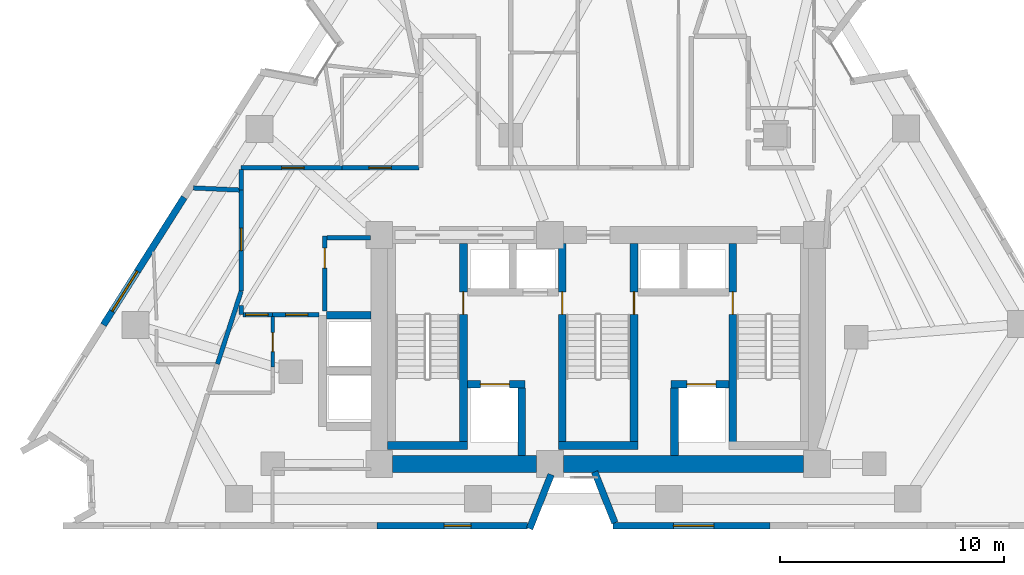
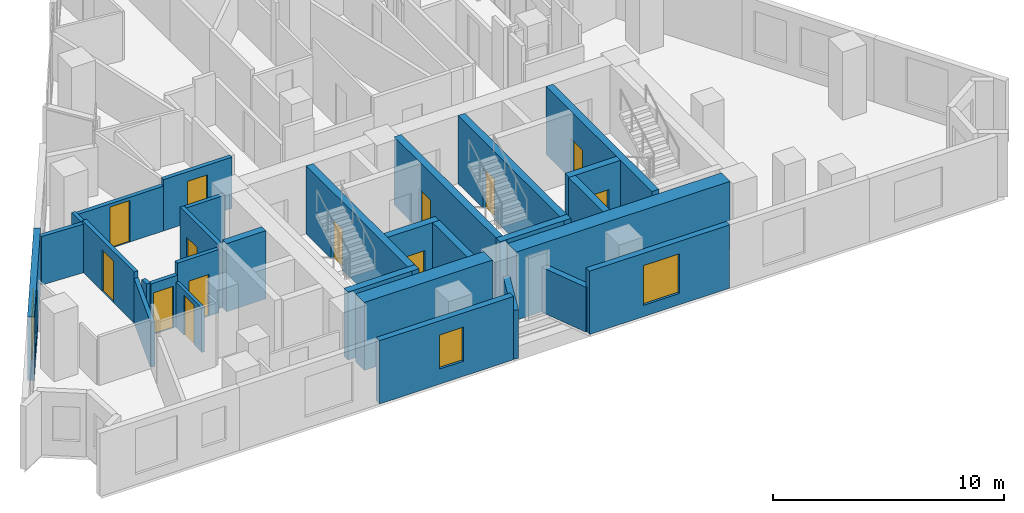
# One storey, part 6 of 12: 30 walls, 13 doors, 3 windows, 16 openings.
"""IFC4 building model written with IfcOpenShell, lengths in metres."""

from ifc_helpers import new_model, si_unit, direction, frame, frame_2d, origin, place, context, subcontext, project, spatial, rectangle, extrude, material, layer, layer_set, type_object, element, fill, save


model = new_model("IFC4")

# Units and contexts
model_context = context("Model", 3, precision=1e-05, world=origin(), true_north=direction((0.0, 1.0)))
body_context = subcontext(model_context, "Body", "Model", "MODEL_VIEW")
ifc_project = project(units=[si_unit("LENGTHUNIT", "METRE"), si_unit("AREAUNIT", "SQUARE_METRE"), si_unit("VOLUMEUNIT", "CUBIC_METRE"), si_unit("PLANEANGLEUNIT", "RADIAN"), si_unit("MASSUNIT", "GRAM", prefix="KILO")], contexts=[model_context])

# Site, building, storey
site_placement = place(None, origin())
site = spatial("IfcSite", under=ifc_project, at=site_placement, CompositionType="ELEMENT")
building_placement = place(site_placement, origin())
building = spatial("IfcBuilding", under=site, at=building_placement, Name="Almagre Mirador Tower", CompositionType="ELEMENT")
storey_placement = place(building_placement, frame((0.0, 0.0, 110.39990234375)))
storey = spatial("IfcBuildingStorey", under=building, at=storey_placement, Name="L27", CompositionType="ELEMENT", Elevation=110.39990234375)

# Wall, opening, window
ifc_material_1 = material(Name="Precast concrete C50/60", Category="concrete")
ifc_layer_1 = layer(ifc_material_1, 0.300048828125)
ifc_layer_set_1 = layer_set([ifc_layer_1], Name="Precast concrete C50/60")
wall_type_1 = type_object("IfcWallType", Name="WAL-EXT-300", PredefinedType="SOLIDWALL", material=ifc_layer_set_1)
wall_1_placement = place(storey_placement, frame((44.953369140625, 1.800048828125, 0.0), z_axis=(0.0, 0.0, 1.0), x_axis=(-1.0, 0.0, 0.0)))
wall_1 = element("IfcWall", 1, at=wall_1_placement, inside=storey, type_object=wall_type_1, Name="L27 expressed almagre precast frame wall 23", PredefinedType="SOLIDWALL", context=body_context, shape_type="SweptSolid", body=[
    extrude(rectangle(XDim=6.993408203125, YDim=0.300048828125, at=frame_2d((3.49658203125, 0.0))), origin(), (0.0, 0.0, 1.0), 3.35009765625),
])
opening_1_placement = place(wall_1_placement, frame((2.5, 0.0, 0.60009765625)))
opening_1 = element("IfcOpeningElement", 2, at=opening_1_placement, cuts=wall_1, Name="Opening WN-01", PredefinedType="OPENING", context=body_context, shape_type="SweptSolid", body=[
    extrude(rectangle(XDim=1.800048828125, YDim=2.10009765625, at=frame_2d((0.89990234375, 1.050048828125))), frame((0.0, 0.159902, 0.0), z_axis=(0.0, -1.0, 0.0), x_axis=(1.0, 0.0, 0.0)), (0.0, 0.0, 1.0), 0.320049),
])
ifc_material_2 = material(Name="Dark solar-control laminated hurricane glass", Category="glass")
window_type_1 = type_object("IfcWindowType", Name="WIN-1800X2100", PartitioningType="DOUBLE_PANEL_VERTICAL", PredefinedType="WINDOW", material=ifc_material_2)
window_1_placement = place(opening_1_placement, origin())
window_1 = element("IfcWindow", 3, at=window_1_placement, inside=storey, type_object=window_type_1, Name="L27 recessed hurricane window L27-RST-B", OverallHeight=2.10009765625, OverallWidth=1.800048828125, PartitioningType="SINGLE_PANEL", PredefinedType="WINDOW", context=body_context, shape_type="SweptSolid", body=[
    extrude(rectangle(XDim=1.800048828125, YDim=2.10009765625, at=frame_2d((0.89990234375, 1.050048828125))), frame((0.0, 0.030029296875, 0.0), z_axis=(0.0, -1.0, 0.0), x_axis=(1.0, 0.0, 0.0)), (0.0, 0.0, 1.0), 0.06005859375),
])
fill(opening_1, window_1)

# Walls
wall_2_placement = place(storey_placement, frame((38.048095703125, 1.93017578125, 0.0), z_axis=(0.0, 0.0, 1.0), x_axis=(-0.369476217581, 0.929240186734, 0.0)))
element("IfcWall", 4, at=wall_2_placement, inside=storey, type_object=wall_type_1, Name="L27 expressed almagre precast frame wall 24", PredefinedType="SOLIDWALL", context=body_context, shape_type="SweptSolid", body=[
    extrude(rectangle(XDim=2.441650390625, YDim=0.300048828125, at=frame_2d((1.220703125, 0.0))), origin(), (0.0, 0.0, 1.0), 2.377197265625),
])
wall_3_placement = place(storey_placement, frame((35.206787109375, 4.080078125, 0.0), z_axis=(0.0, 0.0, 1.0), x_axis=(-0.369539870332, -0.929214875169, 0.0)))
element("IfcWall", 5, at=wall_3_placement, inside=storey, type_object=wall_type_1, Name="L27 expressed almagre precast frame wall 25", PredefinedType="SOLIDWALL", context=body_context, shape_type="SweptSolid", body=[
    extrude(rectangle(XDim=2.59375, YDim=0.300048828125, at=frame_2d((1.296875, 0.0))), origin(), (0.0, 0.0, 1.0), 2.5751953125),
])

# Wall, opening, window
wall_4_placement = place(storey_placement, frame((34.159912109375, 1.800048828125, 0.0), z_axis=(0.0, 0.0, 1.0), x_axis=(-1.0, 0.0, 0.0)))
wall_4 = element("IfcWall", 6, at=wall_4_placement, inside=storey, type_object=wall_type_1, Name="L27 expressed almagre precast frame wall 26", PredefinedType="SOLIDWALL", context=body_context, shape_type="SweptSolid", body=[
    extrude(rectangle(XDim=6.713134765625, YDim=0.300048828125, at=frame_2d((3.3564453125, 0.0))), origin(), (0.0, 0.0, 1.0), 3.35009765625),
])
opening_2_placement = place(wall_4_placement, frame((2.52001953125, 0.0, 0.800048828125)))
opening_2 = element("IfcOpeningElement", 7, at=opening_2_placement, cuts=wall_4, Name="Opening WN-04", PredefinedType="OPENING", context=body_context, shape_type="SweptSolid", body=[
    extrude(rectangle(XDim=1.199951171875, YDim=1.800048828125, at=frame_2d((0.60009765625, 0.89990234375))), frame((0.0, 0.159902, 0.0), z_axis=(0.0, -1.0, 0.0), x_axis=(1.0, 0.0, 0.0)), (0.0, 0.0, 1.0), 0.320049),
])
ifc_material_3 = material(Name="Dark solar-control laminated hurricane glass", Category="glass")
window_type_2 = type_object("IfcWindowType", Name="WIN-1200X1800", PartitioningType="SINGLE_PANEL", PredefinedType="WINDOW", material=ifc_material_3)
window_2_placement = place(opening_2_placement, origin())
window_2 = element("IfcWindow", 8, at=window_2_placement, inside=storey, type_object=window_type_2, Name="L27 recessed hurricane window L27-RST-B", OverallHeight=1.800048828125, OverallWidth=1.199951171875, PartitioningType="SINGLE_PANEL", PredefinedType="WINDOW", context=body_context, shape_type="SweptSolid", body=[
    extrude(rectangle(XDim=1.199951171875, YDim=1.800048828125, at=frame_2d((0.60009765625, 0.89990234375))), frame((0.0, 0.030029296875, 0.0), z_axis=(0.0, -1.0, 0.0), x_axis=(1.0, 0.0, 0.0)), (0.0, 0.0, 1.0), 0.06005859375),
])
fill(opening_2, window_2)

wall_5_placement = place(storey_placement, frame((15.262451171875, 10.74560546875, 0.0), z_axis=(0.0, 0.0, 1.0), x_axis=(0.534880248718, 0.844927878302, 0.0)))
wall_5 = element("IfcWall", 9, at=wall_5_placement, inside=storey, type_object=wall_type_1, Name="L27 expressed almagre precast frame wall 34", PredefinedType="SOLIDWALL", context=body_context, shape_type="SweptSolid", body=[
    extrude(rectangle(XDim=6.72705078125, YDim=0.300048828125, at=frame_2d((3.363525390625, 0.0))), origin(), (0.0, 0.0, 1.0), 3.35009765625),
])
opening_3_placement = place(wall_5_placement, frame((0.72509765625, 0.0, 0.550048828125)))
opening_3 = element("IfcOpeningElement", 10, at=opening_3_placement, cuts=wall_5, Name="Opening WN-05", PredefinedType="OPENING", context=body_context, shape_type="SweptSolid", body=[
    extrude(rectangle(XDim=2.10009765625, YDim=2.39990234375, at=frame_2d((1.050048828125, 1.199951171875))), frame((0.0, 0.159902, 0.0), z_axis=(0.0, -1.0, 0.0), x_axis=(1.0, 0.0, 0.0)), (0.0, 0.0, 1.0), 0.320049),
])
ifc_material_4 = material(Name="Dark solar-control laminated hurricane glass", Category="glass")
window_type_3 = type_object("IfcWindowType", Name="WIN-2100X2400", PartitioningType="DOUBLE_PANEL_VERTICAL", PredefinedType="WINDOW", material=ifc_material_4)
window_3_placement = place(opening_3_placement, origin())
window_3 = element("IfcWindow", 11, at=window_3_placement, inside=storey, type_object=window_type_3, Name="L27 recessed hurricane window L27-UD-KT", OverallHeight=2.39990234375, OverallWidth=2.10009765625, PartitioningType="SINGLE_PANEL", PredefinedType="WINDOW", context=body_context, shape_type="SweptSolid", body=[
    extrude(rectangle(XDim=2.10009765625, YDim=2.39990234375, at=frame_2d((1.050048828125, 1.199951171875))), frame((0.0, 0.030029296875, 0.0), z_axis=(0.0, -1.0, 0.0), x_axis=(1.0, 0.0, 0.0)), (0.0, 0.0, 1.0), 0.06005859375),
])
fill(opening_3, window_3)

# Wall, opening, door
ifc_material_5 = material(Name="Gypsum acoustic stud partition", Category="other")
ifc_layer_2 = layer(ifc_material_5, 0.14990234375)
ifc_layer_set_2 = layer_set([ifc_layer_2], Name="Gypsum acoustic stud partition")
wall_type_2 = type_object("IfcWallType", Name="WAL-PRT-150-STD", PredefinedType="PARTITIONING", material=ifc_layer_set_2)
wall_6_placement = place(storey_placement, frame((22.800048828125, 11.114990234375, 0.0), z_axis=(0.0, 0.0, 1.0), x_axis=(0.0, -1.0, 0.0)))
wall_6 = element("IfcWall", 12, at=wall_6_placement, inside=storey, type_object=wall_type_2, Name="L27 interior partition 026", PredefinedType="PARTITIONING", context=body_context, shape_type="SweptSolid", body=[
    extrude(rectangle(XDim=2.244873046875, YDim=0.14990234375, at=frame_2d((1.12255859375, 0.0))), origin(), (0.0, 0.0, 1.0), 2.3720703125),
])
opening_4_placement = place(wall_6_placement, frame((0.70947265625, 0.0, 0.0)))
opening_4 = element("IfcOpeningElement", 13, at=opening_4_placement, cuts=wall_6, Name="Opening UD-04", PredefinedType="OPENING", context=body_context, shape_type="SweptSolid", body=[
    extrude(rectangle(XDim=0.85009765625, YDim=2.10009765625, at=frame_2d((0.425048828125, 1.050048828125))), frame((0.0, 0.084951, 0.0), z_axis=(0.0, -1.0, 0.0), x_axis=(1.0, 0.0, 0.0)), (0.0, 0.0, 1.0), 0.169902),
])
ifc_material_6 = material(Name="Moisture-resistant oak timber", Category="wood")
door_type_1 = type_object("IfcDoorType", Name="DOR-UNR-850X2100", OperationType="NOTDEFINED", PredefinedType="DOOR", material=ifc_material_6)
door_1_placement = place(opening_4_placement, origin())
door_1 = element("IfcDoor", 14, at=door_1_placement, inside=storey, type_object=door_type_1, Name="DR-0889 L27 interior door L27-UA-LV to L27-UA-HB", OperationType="SINGLE_SWING_RIGHT", OverallHeight=2.10009765625, OverallWidth=0.85009765625, PredefinedType="DOOR", context=body_context, shape_type="SweptSolid", body=[
    extrude(rectangle(XDim=0.85009765625, YDim=2.10009765625, at=frame_2d((0.425048828125, 1.050048828125))), frame((0.0, 0.02490234375, 0.0), z_axis=(0.0, -1.0, 0.0), x_axis=(1.0, 0.0, 0.0)), (0.0, 0.0, 1.0), 0.050048828125),
])
fill(opening_4, door_1)

ifc_material_7 = material(Name="Gypsum acoustic stud partition", Category="other")
ifc_layer_3 = layer(ifc_material_7, 0.199951171875)
ifc_layer_set_3 = layer_set([ifc_layer_3], Name="Gypsum acoustic stud partition")
wall_type_3 = type_object("IfcWallType", Name="WAL-PRT-200-EI60", PredefinedType="PARTITIONING", material=ifc_layer_set_3)
wall_7_placement = place(storey_placement, frame((25.1201171875, 11.3701171875, 0.0), z_axis=(0.0, 0.0, 1.0), x_axis=(0.0, 1.0, 0.0)))
wall_7 = element("IfcWall", 15, at=wall_7_placement, inside=storey, type_object=wall_type_3, Name="L27 core ancillary west wall", PredefinedType="PARTITIONING", context=body_context, shape_type="SweptSolid", body=[
    extrude(rectangle(XDim=3.33984375, YDim=0.199951171875, at=frame_2d((1.669921875, 0.0))), origin(), (0.0, 0.0, 1.0), 3.35009765625),
])
opening_5_placement = place(wall_7_placement, frame((1.89990234375, 0.0, 0.0)))
opening_5 = element("IfcOpeningElement", 16, at=opening_5_placement, cuts=wall_7, Name="Opening ID-03", PredefinedType="OPENING", context=body_context, shape_type="SweptSolid", body=[
    extrude(rectangle(XDim=0.89990234375, YDim=2.10009765625, at=frame_2d((0.449951171875, 1.050048828125))), frame((0.0, 0.110098, 0.0), z_axis=(0.0, -1.0, 0.0), x_axis=(1.0, 0.0, 0.0)), (0.0, 0.0, 1.0), 0.219951),
])
ifc_material_8 = material(Name="Fire-rated hollow steel", Category="steel")
door_type_2 = type_object("IfcDoorType", Name="DOR-FD60-900X2100", OperationType="NOTDEFINED", PredefinedType="DOOR", material=ifc_material_8)
door_2_placement = place(opening_5_placement, origin())
door_2 = element("IfcDoor", 17, at=door_2_placement, inside=storey, type_object=door_type_2, Name="DR-0882 L27 core ancillary corridor door", OperationType="SINGLE_SWING_LEFT", OverallHeight=2.10009765625, OverallWidth=0.89990234375, PredefinedType="DOOR", context=body_context, shape_type="SweptSolid", body=[
    extrude(rectangle(XDim=0.89990234375, YDim=2.10009765625, at=frame_2d((0.449951171875, 1.050048828125))), frame((0.0, 0.02490234375, 0.0), z_axis=(0.0, -1.0, 0.0), x_axis=(1.0, 0.0, 0.0)), (0.0, 0.0, 1.0), 0.050048828125),
])
fill(opening_5, door_2)

# Wall
wall_8_placement = place(storey_placement, frame((25.22509765625, 14.6201171875, 0.0), z_axis=(0.0, 0.0, 1.0), x_axis=(1.0, 0.0, 0.0)))
element("IfcWall", 18, at=wall_8_placement, inside=storey, type_object=wall_type_3, Name="L27 core ancillary north wall", PredefinedType="PARTITIONING", context=body_context, shape_type="SweptSolid", body=[
    extrude(rectangle(XDim=1.934814453125, YDim=0.199951171875, at=frame_2d((0.96728515625, 0.0))), origin(), (0.0, 0.0, 1.0), 3.35009765625),
])

# Wall, opening, door
wall_9_placement = place(storey_placement, frame((22.800048828125, 11.199951171875, 0.0), z_axis=(0.0, 0.0, 1.0), x_axis=(1.0, 0.0, 0.0)))
wall_9 = element("IfcWall", 19, at=wall_9_placement, inside=storey, type_object=wall_type_3, Name="L27 interior partition 001", PredefinedType="PARTITIONING", context=body_context, shape_type="SweptSolid", body=[
    extrude(rectangle(XDim=2.069091796875, YDim=0.199951171875, at=frame_2d((1.03466796875, 0.0))), origin(), (0.0, 0.0, 1.0), 3.35009765625),
])
opening_6_placement = place(wall_9_placement, frame((0.574951171875, 0.0, 0.0)))
opening_6 = element("IfcOpeningElement", 20, at=opening_6_placement, cuts=wall_9, Name="Opening ID-01", PredefinedType="OPENING", context=body_context, shape_type="SweptSolid", body=[
    extrude(rectangle(XDim=1.0, YDim=2.199951171875, at=frame_2d((0.5, 1.10009765625))), frame((0.0, 0.110098, 0.0), z_axis=(0.0, -1.0, 0.0), x_axis=(1.0, 0.0, 0.0)), (0.0, 0.0, 1.0), 0.219951),
])
ifc_material_9 = material(Name="Fire-rated walnut timber", Category="wood")
door_type_3 = type_object("IfcDoorType", Name="DOR-FD60-1000X2200", OperationType="NOTDEFINED", PredefinedType="DOOR", material=ifc_material_9)
door_3_placement = place(opening_6_placement, origin())
door_3 = element("IfcDoor", 21, at=door_3_placement, inside=storey, type_object=door_type_3, Name="DR-0887 L27 interior door L27-RCOR to L27-UA-LV", OperationType="SINGLE_SWING_RIGHT", OverallHeight=2.199951171875, OverallWidth=1.0, PredefinedType="DOOR", context=body_context, shape_type="SweptSolid", body=[
    extrude(rectangle(XDim=1.0, YDim=2.199951171875, at=frame_2d((0.5, 1.10009765625))), frame((0.0, 0.02490234375, 0.0), z_axis=(0.0, -1.0, 0.0), x_axis=(1.0, 0.0, 0.0)), (0.0, 0.0, 1.0), 0.050048828125),
])
fill(opening_6, door_3)

# Wall
wall_10_placement = place(storey_placement, frame((21.39990234375, 11.60498046875, 0.0), z_axis=(0.0, 0.0, 1.0), x_axis=(0.0, -1.0, 0.0)))
element("IfcWall", 22, at=wall_10_placement, inside=storey, type_object=wall_type_3, Name="L27 interior partition 002", PredefinedType="PARTITIONING", context=body_context, shape_type="SweptSolid", body=[
    extrude(rectangle(XDim=0.405029296875, YDim=0.199951171875, at=frame_2d((0.20263671875, 0.0))), origin(), (0.0, 0.0, 1.0), 2.708984375),
])

# Wall, opening, door
wall_11_placement = place(storey_placement, frame((21.485107421875, 11.199951171875, 0.0), z_axis=(0.0, 0.0, 1.0), x_axis=(1.0, 0.0, 0.0)))
wall_11 = element("IfcWall", 23, at=wall_11_placement, inside=storey, type_object=wall_type_3, Name="L27 interior partition 003", PredefinedType="PARTITIONING", context=body_context, shape_type="SweptSolid", body=[
    extrude(rectangle(XDim=1.31494140625, YDim=0.199951171875, at=frame_2d((0.657470703125, 0.0))), origin(), (0.0, 0.0, 1.0), 2.708984375),
])
opening_7_placement = place(wall_11_placement, frame((0.114990234375, 0.0, 0.0)))
opening_7 = element("IfcOpeningElement", 24, at=opening_7_placement, cuts=wall_11, Name="Opening ID-01", PredefinedType="OPENING", context=body_context, shape_type="SweptSolid", body=[
    extrude(rectangle(XDim=1.0, YDim=2.199951171875, at=frame_2d((0.5, 1.10009765625))), frame((0.0, 0.110098, 0.0), z_axis=(0.0, -1.0, 0.0), x_axis=(1.0, 0.0, 0.0)), (0.0, 0.0, 1.0), 0.219951),
])
door_4_placement = place(opening_7_placement, origin())
door_4 = element("IfcDoor", 25, at=door_4_placement, inside=storey, type_object=door_type_3, Name="DR-0904 L27 interior door L27-RCOR to L27-UA-HB", OperationType="SINGLE_SWING_LEFT", OverallHeight=2.199951171875, OverallWidth=1.0, PredefinedType="DOOR", context=body_context, shape_type="SweptSolid", body=[
    extrude(rectangle(XDim=1.0, YDim=2.199951171875, at=frame_2d((0.5, 1.10009765625))), frame((0.0, 0.02490234375, 0.0), z_axis=(0.0, -1.0, 0.0), x_axis=(1.0, 0.0, 0.0)), (0.0, 0.0, 1.0), 0.050048828125),
])
fill(opening_7, door_4)

wall_12_placement = place(storey_placement, frame((21.39990234375, 16.75, 0.0), z_axis=(0.0, 0.0, 1.0), x_axis=(0.0, -1.0, 0.0)))
wall_12 = element("IfcWall", 26, at=wall_12_placement, inside=storey, type_object=wall_type_3, Name="L27 interior partition 005", PredefinedType="PARTITIONING", context=body_context, shape_type="SweptSolid", body=[
    extrude(rectangle(XDim=4.5, YDim=0.199951171875, at=frame_2d((2.25, 0.0))), origin(), (0.0, 0.0, 1.0), 2.708984375),
])
opening_8_placement = place(wall_12_placement, frame((1.6904296875, 0.0, 0.0)))
opening_8 = element("IfcOpeningElement", 27, at=opening_8_placement, cuts=wall_12, Name="Opening ID-01", PredefinedType="OPENING", context=body_context, shape_type="SweptSolid", body=[
    extrude(rectangle(XDim=1.0, YDim=2.199951171875, at=frame_2d((0.5, 1.10009765625))), frame((0.0, 0.110098, 0.0), z_axis=(0.0, -1.0, 0.0), x_axis=(1.0, 0.0, 0.0)), (0.0, 0.0, 1.0), 0.219951),
])
door_5_placement = place(opening_8_placement, origin())
door_5 = element("IfcDoor", 28, at=door_5_placement, inside=storey, type_object=door_type_3, Name="DR-0890 L27 interior door L27-RCOR to L27-UD-ST", OperationType="SINGLE_SWING_LEFT", OverallHeight=2.199951171875, OverallWidth=1.0, PredefinedType="DOOR", context=body_context, shape_type="SweptSolid", body=[
    extrude(rectangle(XDim=1.0, YDim=2.199951171875, at=frame_2d((0.5, 1.10009765625))), frame((0.0, 0.02490234375, 0.0), z_axis=(0.0, -1.0, 0.0), x_axis=(1.0, 0.0, 0.0)), (0.0, 0.0, 1.0), 0.050048828125),
])
fill(opening_8, door_5)

wall_13_placement = place(storey_placement, frame((25.889892578125, 17.75, 0.0), z_axis=(0.0, 0.0, 1.0), x_axis=(-1.0, 0.0, 0.0)))
wall_13 = element("IfcWall", 29, at=wall_13_placement, inside=storey, type_object=wall_type_3, Name="L27 interior partition 006", PredefinedType="PARTITIONING", context=body_context, shape_type="SweptSolid", body=[
    extrude(rectangle(XDim=4.489990234375, YDim=0.199951171875, at=frame_2d((2.2451171875, 0.0))), origin(), (0.0, 0.0, 1.0), 2.3720703125),
])
opening_9_placement = place(wall_13_placement, frame((1.685546875, 0.0, 0.0)))
opening_9 = element("IfcOpeningElement", 30, at=opening_9_placement, cuts=wall_13, Name="Opening ID-01", PredefinedType="OPENING", context=body_context, shape_type="SweptSolid", body=[
    extrude(rectangle(XDim=1.0, YDim=2.199951171875, at=frame_2d((0.5, 1.10009765625))), frame((0.0, 0.110098, 0.0), z_axis=(0.0, -1.0, 0.0), x_axis=(1.0, 0.0, 0.0)), (0.0, 0.0, 1.0), 0.219951),
])
door_6_placement = place(opening_9_placement, origin())
door_6 = element("IfcDoor", 31, at=door_6_placement, inside=storey, type_object=door_type_3, Name="DR-0891 L27 interior door L27-RCOR to L27-UF-ST", OperationType="SINGLE_SWING_RIGHT", OverallHeight=2.199951171875, OverallWidth=1.0, PredefinedType="DOOR", context=body_context, shape_type="SweptSolid", body=[
    extrude(rectangle(XDim=1.0, YDim=2.199951171875, at=frame_2d((0.5, 1.10009765625))), frame((0.0, 0.02490234375, 0.0), z_axis=(0.0, -1.0, 0.0), x_axis=(1.0, 0.0, 0.0)), (0.0, 0.0, 1.0), 0.050048828125),
])
fill(opening_9, door_6)

# Wall
wall_14_placement = place(storey_placement, frame((21.39990234375, 17.6650390625, 0.0), z_axis=(0.0, 0.0, 1.0), x_axis=(0.0, -1.0, 0.0)))
element("IfcWall", 32, at=wall_14_placement, inside=storey, type_object=wall_type_3, Name="L27 interior partition 007", PredefinedType="PARTITIONING", context=body_context, shape_type="SweptSolid", body=[
    extrude(rectangle(XDim=0.9150390625, YDim=0.199951171875, at=frame_2d((0.45751953125, 0.0))), origin(), (0.0, 0.0, 1.0), 2.570068359375),
])

# Wall, opening, door
wall_15_placement = place(storey_placement, frame((29.31494140625, 17.75, 0.0), z_axis=(0.0, 0.0, 1.0), x_axis=(-1.0, 0.0, 0.0)))
wall_15 = element("IfcWall", 33, at=wall_15_placement, inside=storey, type_object=wall_type_3, Name="L27 interior partition 009", PredefinedType="PARTITIONING", context=body_context, shape_type="SweptSolid", body=[
    extrude(rectangle(XDim=3.425048828125, YDim=0.199951171875, at=frame_2d((1.71240234375, 0.0))), origin(), (0.0, 0.0, 1.0), 2.708984375),
])
opening_10_placement = place(wall_15_placement, frame((1.228759765625, 0.0, 0.0)))
opening_10 = element("IfcOpeningElement", 34, at=opening_10_placement, cuts=wall_15, Name="Opening ID-01", PredefinedType="OPENING", context=body_context, shape_type="SweptSolid", body=[
    extrude(rectangle(XDim=1.0, YDim=2.199951171875, at=frame_2d((0.5, 1.10009765625))), frame((0.0, 0.110098, 0.0), z_axis=(0.0, -1.0, 0.0), x_axis=(1.0, 0.0, 0.0)), (0.0, 0.0, 1.0), 0.219951),
])
door_7_placement = place(opening_10_placement, origin())
door_7 = element("IfcDoor", 35, at=door_7_placement, inside=storey, type_object=door_type_3, Name="DR-0905 L27 interior door L27-RCOR to L27-UF-BT", OperationType="SINGLE_SWING_RIGHT", OverallHeight=2.199951171875, OverallWidth=1.0, PredefinedType="DOOR", context=body_context, shape_type="SweptSolid", body=[
    extrude(rectangle(XDim=1.0, YDim=2.199951171875, at=frame_2d((0.5, 1.10009765625))), frame((0.0, 0.02490234375, 0.0), z_axis=(0.0, -1.0, 0.0), x_axis=(1.0, 0.0, 0.0)), (0.0, 0.0, 1.0), 0.050048828125),
])
fill(opening_10, door_7)

# Walls
wall_16_placement = place(storey_placement, frame((21.39990234375, 12.25, 0.0), z_axis=(0.0, 0.0, 1.0), x_axis=(-0.310029019977, -0.950727093741, 0.0)))
element("IfcWall", 36, at=wall_16_placement, inside=storey, type_object=wall_type_3, Name="L27 interior partition 030", PredefinedType="PARTITIONING", context=body_context, shape_type="SweptSolid", body=[
    extrude(rectangle(XDim=3.41845703125, YDim=0.199951171875, at=frame_2d((1.709228515625, 0.0))), origin(), (0.0, 0.0, 1.0), 2.3720703125),
])
wall_17_placement = place(storey_placement, frame((21.315185546875, 16.7529296875, 0.0), z_axis=(0.0, 0.0, 1.0), x_axis=(-0.998928926466, 0.046270939795, 0.0)))
element("IfcWall", 37, at=wall_17_placement, inside=storey, type_object=wall_type_3, Name="L27 interior partition 050", PredefinedType="PARTITIONING", context=body_context, shape_type="SweptSolid", body=[
    extrude(rectangle(XDim=2.052490234375, YDim=0.199951171875, at=frame_2d((1.0263671875, 0.0))), origin(), (0.0, 0.0, 1.0), 2.570068359375),
])

# Wall, opening, door
ifc_material_10 = material(Name="Concrete C60/75", Category="concrete")
ifc_layer_4 = layer(ifc_material_10, 0.35009765625)
ifc_layer_set_4 = layer_set([ifc_layer_4], Name="Concrete C60/75")
wall_type_4 = type_object("IfcWallType", Name="WAL-SHF-350", PredefinedType="SOLIDWALL", material=ifc_layer_set_4)
wall_18_placement = place(storey_placement, frame((31.300048828125, 5.199951171875, 0.0), z_axis=(0.0, 0.0, 1.0), x_axis=(0.0, 1.0, 0.0)))
wall_18 = element("IfcWall", 38, at=wall_18_placement, inside=storey, type_object=wall_type_4, Name="L27 shaft wall ST1-E", PredefinedType="SOLIDWALL", context=body_context, shape_type="SweptSolid", body=[
    extrude(rectangle(XDim=9.175048828125, YDim=0.35009765625, at=frame_2d((4.58740234375, 0.0))), origin(), (0.0, 0.0, 1.0), 3.60009765625),
])
opening_11_placement = place(wall_18_placement, frame((6.02001953125, 0.0, 0.0)))
opening_11 = element("IfcOpeningElement", 39, at=opening_11_placement, cuts=wall_18, Name="Opening FD-01", PredefinedType="OPENING", context=body_context, shape_type="SweptSolid", body=[
    extrude(rectangle(XDim=1.0, YDim=2.14990234375, at=frame_2d((0.5, 1.074951171875))), frame((0.0, 0.185049, 0.0), z_axis=(0.0, -1.0, 0.0), x_axis=(1.0, 0.0, 0.0)), (0.0, 0.0, 1.0), 0.370098),
])
ifc_material_11 = material(Name="Fire-rated hollow steel", Category="steel")
door_type_4 = type_object("IfcDoorType", Name="DOR-FFL-1000X2150", OperationType="NOTDEFINED", PredefinedType="DOOR", material=ifc_material_11)
door_8_placement = place(opening_11_placement, origin())
door_8 = element("IfcDoor", 40, at=door_8_placement, inside=storey, type_object=door_type_4, Name="DR-0883 L27 FFL1-ST1 smokeproof door", OperationType="SINGLE_SWING_LEFT", OverallHeight=2.14990234375, OverallWidth=1.0, PredefinedType="DOOR", context=body_context, shape_type="SweptSolid", body=[
    extrude(rectangle(XDim=1.0, YDim=2.14990234375, at=frame_2d((0.5, 1.074951171875))), frame((0.0, 0.02490234375, 0.0), z_axis=(0.0, -1.0, 0.0), x_axis=(1.0, 0.0, 0.0)), (0.0, 0.0, 1.0), 0.050048828125),
])
fill(opening_11, door_8)

# Wall
wall_19_placement = place(storey_placement, frame((27.925048828125, 5.375, 0.0), z_axis=(0.0, 0.0, 1.0), x_axis=(1.0, 0.0, 0.0)))
element("IfcWall", 41, at=wall_19_placement, inside=storey, type_object=wall_type_4, Name="L27 shaft wall ST1-S", PredefinedType="SOLIDWALL", context=body_context, shape_type="SweptSolid", body=[
    extrude(rectangle(XDim=3.550048828125, YDim=0.35009765625, at=frame_2d((1.77490234375, 0.0))), origin(), (0.0, 0.0, 1.0), 3.60009765625),
])

# Wall, opening, door
wall_20_placement = place(storey_placement, frame((35.699951171875, 5.199951171875, 0.0), z_axis=(0.0, 0.0, 1.0), x_axis=(0.0, 1.0, 0.0)))
wall_20 = element("IfcWall", 42, at=wall_20_placement, inside=storey, type_object=wall_type_4, Name="L27 shaft wall ST2-W", PredefinedType="SOLIDWALL", context=body_context, shape_type="SweptSolid", body=[
    extrude(rectangle(XDim=9.175048828125, YDim=0.35009765625, at=frame_2d((4.58740234375, 0.0))), origin(), (0.0, 0.0, 1.0), 3.60009765625),
])
opening_12_placement = place(wall_20_placement, frame((6.02001953125, 0.0, 0.0)))
opening_12 = element("IfcOpeningElement", 43, at=opening_12_placement, cuts=wall_20, Name="Opening FD-01", PredefinedType="OPENING", context=body_context, shape_type="SweptSolid", body=[
    extrude(rectangle(XDim=1.0, YDim=2.14990234375, at=frame_2d((0.5, 1.074951171875))), frame((0.0, 0.185049, 0.0), z_axis=(0.0, -1.0, 0.0), x_axis=(1.0, 0.0, 0.0)), (0.0, 0.0, 1.0), 0.370098),
])
door_9_placement = place(opening_12_placement, origin())
door_9 = element("IfcDoor", 44, at=door_9_placement, inside=storey, type_object=door_type_4, Name="DR-0884 L27 FFL1-ST2 smokeproof door", OperationType="SINGLE_SWING_RIGHT", OverallHeight=2.14990234375, OverallWidth=1.0, PredefinedType="DOOR", context=body_context, shape_type="SweptSolid", body=[
    extrude(rectangle(XDim=1.0, YDim=2.14990234375, at=frame_2d((0.5, 1.074951171875))), frame((0.0, 0.02490234375, 0.0), z_axis=(0.0, -1.0, 0.0), x_axis=(1.0, 0.0, 0.0)), (0.0, 0.0, 1.0), 0.050048828125),
])
fill(opening_12, door_9)

wall_21_placement = place(storey_placement, frame((38.89990234375, 5.199951171875, 0.0), z_axis=(0.0, 0.0, 1.0), x_axis=(0.0, 1.0, 0.0)))
wall_21 = element("IfcWall", 45, at=wall_21_placement, inside=storey, type_object=wall_type_4, Name="L27 shaft wall ST2-E", PredefinedType="SOLIDWALL", context=body_context, shape_type="SweptSolid", body=[
    extrude(rectangle(XDim=9.175048828125, YDim=0.35009765625, at=frame_2d((4.58740234375, 0.0))), origin(), (0.0, 0.0, 1.0), 3.60009765625),
])
opening_13_placement = place(wall_21_placement, frame((6.02001953125, 0.0, 0.0)))
opening_13 = element("IfcOpeningElement", 46, at=opening_13_placement, cuts=wall_21, Name="Opening FD-01", PredefinedType="OPENING", context=body_context, shape_type="SweptSolid", body=[
    extrude(rectangle(XDim=1.0, YDim=2.14990234375, at=frame_2d((0.5, 1.074951171875))), frame((0.0, 0.185049, 0.0), z_axis=(0.0, -1.0, 0.0), x_axis=(1.0, 0.0, 0.0)), (0.0, 0.0, 1.0), 0.370098),
])
door_10_placement = place(opening_13_placement, origin())
door_10 = element("IfcDoor", 47, at=door_10_placement, inside=storey, type_object=door_type_4, Name="DR-0885 L27 FFL2-ST2 smokeproof door", OperationType="SINGLE_SWING_LEFT", OverallHeight=2.14990234375, OverallWidth=1.0, PredefinedType="DOOR", context=body_context, shape_type="SweptSolid", body=[
    extrude(rectangle(XDim=1.0, YDim=2.14990234375, at=frame_2d((0.5, 1.074951171875))), frame((0.0, 0.02490234375, 0.0), z_axis=(0.0, -1.0, 0.0), x_axis=(1.0, 0.0, 0.0)), (0.0, 0.0, 1.0), 0.050048828125),
])
fill(opening_13, door_10)

# Wall
wall_22_placement = place(storey_placement, frame((35.52490234375, 5.375, 0.0), z_axis=(0.0, 0.0, 1.0), x_axis=(1.0, 0.0, 0.0)))
element("IfcWall", 48, at=wall_22_placement, inside=storey, type_object=wall_type_4, Name="L27 shaft wall ST2-S", PredefinedType="SOLIDWALL", context=body_context, shape_type="SweptSolid", body=[
    extrude(rectangle(XDim=3.550048828125, YDim=0.35009765625, at=frame_2d((1.77490234375, 0.0))), origin(), (0.0, 0.0, 1.0), 3.60009765625),
])

# Wall, opening, door
wall_23_placement = place(storey_placement, frame((43.300048828125, 5.199951171875, 0.0), z_axis=(0.0, 0.0, 1.0), x_axis=(0.0, 1.0, 0.0)))
wall_23 = element("IfcWall", 49, at=wall_23_placement, inside=storey, type_object=wall_type_4, Name="L27 shaft wall ST3-W", PredefinedType="SOLIDWALL", context=body_context, shape_type="SweptSolid", body=[
    extrude(rectangle(XDim=9.175048828125, YDim=0.35009765625, at=frame_2d((4.58740234375, 0.0))), origin(), (0.0, 0.0, 1.0), 3.60009765625),
])
opening_14_placement = place(wall_23_placement, frame((6.02001953125, 0.0, 0.0)))
opening_14 = element("IfcOpeningElement", 50, at=opening_14_placement, cuts=wall_23, Name="Opening FD-01", PredefinedType="OPENING", context=body_context, shape_type="SweptSolid", body=[
    extrude(rectangle(XDim=1.0, YDim=2.14990234375, at=frame_2d((0.5, 1.074951171875))), frame((0.0, 0.185049, 0.0), z_axis=(0.0, -1.0, 0.0), x_axis=(1.0, 0.0, 0.0)), (0.0, 0.0, 1.0), 0.370098),
])
door_11_placement = place(opening_14_placement, origin())
door_11 = element("IfcDoor", 51, at=door_11_placement, inside=storey, type_object=door_type_4, Name="DR-0886 L27 FFL2-ST3 smokeproof door", OperationType="SINGLE_SWING_RIGHT", OverallHeight=2.14990234375, OverallWidth=1.0, PredefinedType="DOOR", context=body_context, shape_type="SweptSolid", body=[
    extrude(rectangle(XDim=1.0, YDim=2.14990234375, at=frame_2d((0.5, 1.074951171875))), frame((0.0, 0.02490234375, 0.0), z_axis=(0.0, -1.0, 0.0), x_axis=(1.0, 0.0, 0.0)), (0.0, 0.0, 1.0), 0.050048828125),
])
fill(opening_14, door_11)

wall_24_placement = place(storey_placement, frame((31.47509765625, 8.10009765625, 0.0), z_axis=(0.0, 0.0, 1.0), x_axis=(1.0, 0.0, 0.0)))
wall_24 = element("IfcWall", 52, at=wall_24_placement, inside=storey, type_object=wall_type_4, Name="L27 shaft wall FSAE1-N", PredefinedType="SOLIDWALL", context=body_context, shape_type="SweptSolid", body=[
    extrude(rectangle(XDim=2.574951171875, YDim=0.35009765625, at=frame_2d((1.28759765625, 0.0))), origin(), (0.0, 0.0, 1.0), 3.60009765625),
])
opening_15_placement = place(wall_24_placement, frame((0.574951171875, 0.0, 0.0)))
opening_15 = element("IfcOpeningElement", 53, at=opening_15_placement, cuts=wall_24, Name="Opening LD-03", PredefinedType="OPENING", context=body_context, shape_type="SweptSolid", body=[
    extrude(rectangle(XDim=1.300048828125, YDim=2.25, at=frame_2d((0.64990234375, 1.125))), frame((0.0, 0.185049, 0.0), z_axis=(0.0, -1.0, 0.0), x_axis=(1.0, 0.0, 0.0)), (0.0, 0.0, 1.0), 0.370098),
])
ifc_material_12 = material(Name="Hollow stainless steel", Category="steel")
door_type_5 = type_object("IfcDoorType", Name="DOR-LD-1300X2250", OperationType="DOUBLE_DOOR_SLIDING", PredefinedType="DOOR", material=ifc_material_12)
door_12_placement = place(opening_15_placement, origin())
door_12 = element("IfcDoor", 54, at=door_12_placement, inside=storey, type_object=door_type_5, Name="DR-0906 L27 FSAE-1 lift landing door", OperationType="DOUBLE_DOOR_SLIDING", OverallHeight=2.25, OverallWidth=1.300048828125, PredefinedType="DOOR", context=body_context, shape_type="SweptSolid", body=[
    extrude(rectangle(XDim=1.300048828125, YDim=2.25, at=frame_2d((0.64990234375, 1.125))), frame((0.0, 0.02490234375, 0.0), z_axis=(0.0, -1.0, 0.0), x_axis=(1.0, 0.0, 0.0)), (0.0, 0.0, 1.0), 0.050048828125),
])
fill(opening_15, door_12)

wall_25_placement = place(storey_placement, frame((40.550048828125, 8.10009765625, 0.0), z_axis=(0.0, 0.0, 1.0), x_axis=(1.0, 0.0, 0.0)))
wall_25 = element("IfcWall", 55, at=wall_25_placement, inside=storey, type_object=wall_type_4, Name="L27 shaft wall FSAE2-N", PredefinedType="SOLIDWALL", context=body_context, shape_type="SweptSolid", body=[
    extrude(rectangle(XDim=2.574951171875, YDim=0.35009765625, at=frame_2d((1.28759765625, 0.0))), origin(), (0.0, 0.0, 1.0), 3.60009765625),
])
opening_16_placement = place(wall_25_placement, frame((0.699951171875, 0.0, 0.0)))
opening_16 = element("IfcOpeningElement", 56, at=opening_16_placement, cuts=wall_25, Name="Opening LD-03", PredefinedType="OPENING", context=body_context, shape_type="SweptSolid", body=[
    extrude(rectangle(XDim=1.300048828125, YDim=2.25, at=frame_2d((0.64990234375, 1.125))), frame((0.0, 0.185049, 0.0), z_axis=(0.0, -1.0, 0.0), x_axis=(1.0, 0.0, 0.0)), (0.0, 0.0, 1.0), 0.370098),
])
door_13_placement = place(opening_16_placement, origin())
door_13 = element("IfcDoor", 57, at=door_13_placement, inside=storey, type_object=door_type_5, Name="DR-0907 L27 FSAE-2 lift landing door", OperationType="DOUBLE_DOOR_SLIDING", OverallHeight=2.25, OverallWidth=1.300048828125, PredefinedType="DOOR", context=body_context, shape_type="SweptSolid", body=[
    extrude(rectangle(XDim=1.300048828125, YDim=2.25, at=frame_2d((0.64990234375, 1.125))), frame((0.0, 0.02490234375, 0.0), z_axis=(0.0, -1.0, 0.0), x_axis=(1.0, 0.0, 0.0)), (0.0, 0.0, 1.0), 0.050048828125),
])
fill(opening_16, door_13)

# Walls
for number, where, z_axis, x_axis, name in (
    (58, (33.89990234375, 4.925048828125, 0.0), (0.0, 0.0, 1.0), (0.0, 1.0, 0.0), "L27 shaft wall FSAE1-E"),
    (59, (40.699951171875, 4.925048828125, 0.0), (0.0, 0.0, 1.0), (0.0, 1.0, 0.0), "L27 shaft wall FSAE2-W"),
):
    element("IfcWall", number, at=place(storey_placement, frame(where, z_axis=z_axis, x_axis=x_axis)), inside=storey, type_object=wall_type_4, Name=name, PredefinedType="SOLIDWALL", context=body_context, shape_type="SweptSolid", body=[
        extrude(rectangle(XDim=3.0, YDim=0.35009765625, at=frame_2d((1.5, 0.0))), origin(), (0.0, 0.0, 1.0), 3.60009765625),
    ])
wall_26_placement = place(storey_placement, frame((25.199951171875, 11.175048828125, 0.0), z_axis=(0.0, 0.0, 1.0), x_axis=(1.0, 0.0, 0.0)))
element("IfcWall", 60, at=wall_26_placement, inside=storey, type_object=wall_type_4, Name="L27 shaft wall OL-N", PredefinedType="SOLIDWALL", context=body_context, shape_type="SweptSolid", body=[
    extrude(rectangle(XDim=1.97509765625, YDim=0.35009765625, at=frame_2d((0.987548828125, 0.0))), origin(), (0.0, 0.0, 1.0), 3.60009765625),
])
ifc_material_13 = material(Name="Concrete C60/75", Category="concrete")
ifc_layer_5 = layer(ifc_material_13, 0.75)
ifc_layer_set_5 = layer_set([ifc_layer_5], Name="Concrete C60/75")
wall_type_5 = type_object("IfcWallType", Name="WAL-SHR-750", PredefinedType="SHEAR", material=ifc_layer_set_5)
wall_27_placement = place(storey_placement, frame((28.14990234375, 4.550048828125, 0.0), z_axis=(0.0, 0.0, 1.0), x_axis=(1.0, 0.0, 0.0)))
element("IfcWall", 61, at=wall_27_placement, inside=storey, type_object=wall_type_5, Name="L27 core shear wall S1", PredefinedType="SHEAR", context=body_context, shape_type="SweptSolid", body=[
    extrude(rectangle(XDim=6.400146484375, YDim=0.75, at=frame_2d((3.2001953125, 0.0))), origin(), (0.0, 0.0, 1.0), 3.60009765625),
])
wall_28_placement = place(storey_placement, frame((35.75, 4.550048828125, 0.0), z_axis=(0.0, 0.0, 1.0), x_axis=(1.0, 0.0, 0.0)))
element("IfcWall", 62, at=wall_28_placement, inside=storey, type_object=wall_type_5, Name="L27 core shear wall S2", PredefinedType="SHEAR", context=body_context, shape_type="SweptSolid", body=[
    extrude(rectangle(XDim=10.699951171875, YDim=0.75, at=frame_2d((5.35009765625, 0.0))), origin(), (0.0, 0.0, 1.0), 3.60009765625),
])

save(model, "model.ifc")
